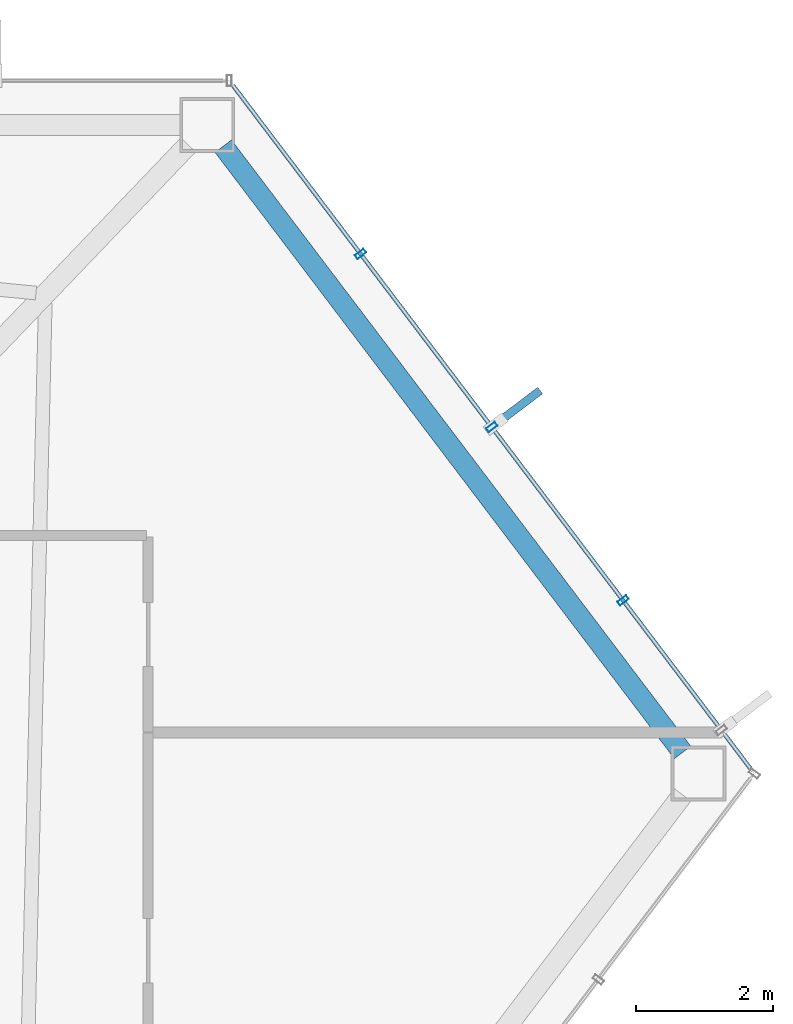
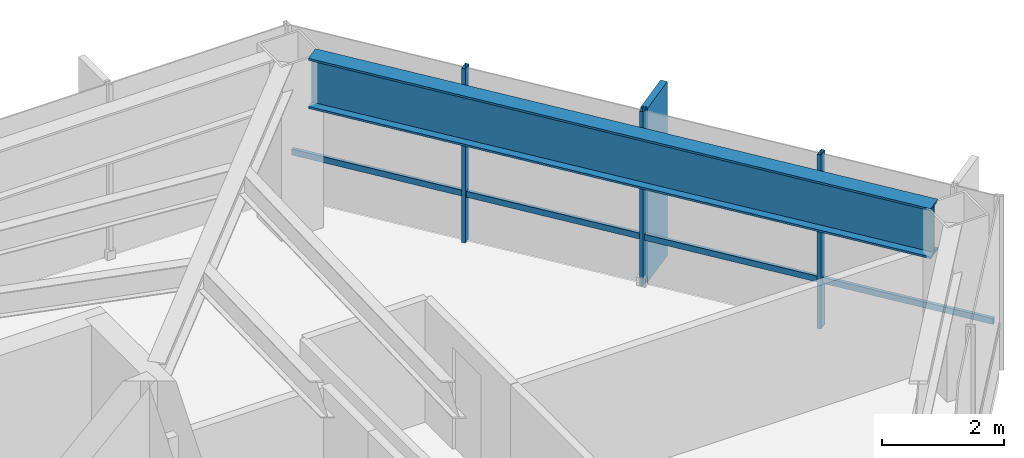
# One storey, part 23 of 29: 5 members, 1 beam, 1 element without a shape of its own.
"""IFC4 building model written with IfcOpenShell, lengths in metres."""

from ifc_helpers import new_model, si_unit, direction, frame, origin, origin_2d, place, context, subcontext, project, spatial, rectangle, hollow_rectangle, i_section, extrude, material, layer, layer_set, material_profile, profile_set, type_object, element, aggregate, save


model = new_model("IFC4")

# Units and contexts
model_context = context("Model", 3, precision=1e-05, world=origin(), true_north=direction((0.0, 1.0)))
body_context = subcontext(model_context, "Body", "Model", "MODEL_VIEW")
ifc_project = project(units=[si_unit("LENGTHUNIT", "METRE"), si_unit("AREAUNIT", "SQUARE_METRE"), si_unit("VOLUMEUNIT", "CUBIC_METRE"), si_unit("PLANEANGLEUNIT", "RADIAN"), si_unit("MASSUNIT", "GRAM", prefix="KILO")], contexts=[model_context])

# Site, building, storey
site_placement = place(None, origin())
site = spatial("IfcSite", under=ifc_project, at=site_placement, CompositionType="ELEMENT")
building_placement = place(site_placement, origin())
building = spatial("IfcBuilding", under=site, at=building_placement, Name="Zarrinselat Tower", CompositionType="ELEMENT")
storey_placement = place(building_placement, frame((0.0, 0.0, 138.3798828125)))
storey = spatial("IfcBuildingStorey", under=building, at=storey_placement, Name="L33", CompositionType="ELEMENT", Elevation=138.3798828125)

# Beam
ifc_material_1 = material(Name="Steel S460M", Category="steel")
ifc_material_profile_1 = material_profile(ifc_material_1, i_section(OverallWidth=0.302001953125, OverallDepth=1.008056640625, WebThickness=0.02099609375, FlangeThickness=0.0400390625, at=origin_2d()), Name="HEM 1000")
ifc_profile_set_1 = profile_set([ifc_material_profile_1], Name="Steel S460M")
beam_type = type_object("IfcBeamType", Name="BM-HEM1000", PredefinedType="BEAM", material=ifc_profile_set_1)
beam_placement = place(storey_placement, frame((55.099365234375, 48.190673828125, 2.99609375), z_axis=(0.603858110813, -0.797091827838, 0.0), x_axis=(0.797091827838, 0.603858110813, 0.0)))
element("IfcBeam", 1, at=beam_placement, inside=storey, type_object=beam_type, Name="L33 Perimeter Spandrel Girder SP15", PredefinedType="BEAM", context=body_context, shape_type="SweptSolid", body=[
    extrude(i_section(OverallWidth=0.302001953125, OverallDepth=1.008056640625, WebThickness=0.02099609375, FlangeThickness=0.0400390625, at=origin_2d()), origin(), (0.0, 0.0, 1.0), 11.1171875),
])

# Curtain wall, members
ifc_material_2 = material(Name="Extruded Aluminium Alloy EN AW-6063 T6", Category="aluminium")
ifc_layer = layer(ifc_material_2, 0.175048828125)
ifc_layer_set = layer_set([ifc_layer], Name="Extruded Aluminium Alloy EN AW-6063 T6")
curtain_wall_type = type_object("IfcCurtainWallType", Name="CWS-HTL", PredefinedType="NOTDEFINED", material=ifc_layer_set)
curtain_wall_placement = place(storey_placement, origin())
curtain_wall = element("IfcCurtainWall", 2, at=curtain_wall_placement, inside=storey, type_object=curtain_wall_type, Name="L33 Unitised Curtain Wall CW-L33-E06", PredefinedType="NOTDEFINED")
ifc_material_3 = material(Name="Extruded Aluminium Alloy EN AW-6063 T6", Category="aluminium")
ifc_material_profile_2 = material_profile(ifc_material_3, hollow_rectangle(XDim=0.070068359375, YDim=0.159912109375, WallThickness=0.00390625, at=origin_2d()), Name="RHS 160x70x4")
ifc_profile_set_2 = profile_set([ifc_material_profile_2], Name="Extruded Aluminium Alloy EN AW-6063 T6")
member_type_1 = type_object("IfcMemberType", Name="MEM-CW-MUL2", PredefinedType="MULLION", material=ifc_profile_set_2)
member_1_placement = place(storey_placement, frame((60.943603515625, 41.552490234375, 0.0), z_axis=(0.0, 0.0, 1.0), x_axis=(-0.60385935447, 0.79709088567, 0.0)))
member_1 = element("IfcMember", 3, at=member_1_placement, type_object=member_type_1, Name="CW-L33-E06 Mullion 2", PredefinedType="MULLION", context=body_context, shape_type="SweptSolid", body=[
    extrude(hollow_rectangle(XDim=0.070068359375, YDim=0.159912109375, WallThickness=0.00390625, at=origin_2d()), origin(), (0.0, 0.0, 1.0), 3.5),
])
member_2_placement = place(storey_placement, frame((59.025146484375, 44.0849609375, 0.0), z_axis=(0.0, 0.0, 1.0), x_axis=(-0.60385935447, 0.79709088567, 0.0)))
member_2 = element("IfcMember", 4, at=member_2_placement, type_object=member_type_1, Name="CW-L33-E06 Mullion 3", PredefinedType="MULLION", context=body_context, shape_type="SweptSolid", body=[
    extrude(hollow_rectangle(XDim=0.070068359375, YDim=0.159912109375, WallThickness=0.00390625, at=origin_2d()), origin(), (0.0, 0.0, 1.0), 3.5),
])
member_3_placement = place(storey_placement, frame((57.1064453125, 46.617431640625, 0.0), z_axis=(0.0, 0.0, 1.0), x_axis=(-0.60385935447, 0.79709088567, 0.0)))
member_3 = element("IfcMember", 5, at=member_3_placement, type_object=member_type_1, Name="CW-L33-E06 Mullion 4", PredefinedType="MULLION", context=body_context, shape_type="SweptSolid", body=[
    extrude(hollow_rectangle(XDim=0.070068359375, YDim=0.159912109375, WallThickness=0.00390625, at=origin_2d()), origin(), (0.0, 0.0, 1.0), 3.5),
])
ifc_material_4 = material(Name="Extruded Aluminium Alloy EN AW-6063 T6", Category="aluminium")
ifc_material_profile_3 = material_profile(ifc_material_4, hollow_rectangle(XDim=0.06005859375, YDim=0.1201171875, WallThickness=0.00390625, at=origin_2d()), Name="RHS 120x60x4")
ifc_profile_set_3 = profile_set([ifc_material_profile_3], Name="Extruded Aluminium Alloy EN AW-6063 T6")
member_type_2 = type_object("IfcMemberType", Name="MEM-CW-TRN2", PredefinedType="USERDEFINED", material=ifc_profile_set_3)
member_4_placement = place(storey_placement, frame((62.807861328125, 39.091796875, 0.9501953125), z_axis=(-0.603862190081, 0.797088737463, 0.0), x_axis=(-0.797088737463, -0.603862190081, 0.0)))
member_4 = element("IfcMember", 6, at=member_4_placement, type_object=member_type_2, Name="CW-L33-E06 Transom 1", ObjectType="TRANSOM", PredefinedType="USERDEFINED", context=body_context, shape_type="SweptSolid", body=[
    extrude(hollow_rectangle(XDim=0.06005859375, YDim=0.1201171875, WallThickness=0.00390625, at=origin_2d()), origin(), (0.0, 0.0, 1.0), 12.52880859375),
])
ifc_material_5 = material(Name="Honed Cream Travertine Stone", Category="masonry")
ifc_material_profile_4 = material_profile(ifc_material_5, rectangle(XDim=0.1201171875, YDim=0.85009765625, at=origin_2d()), Name="FIN 850x120")
ifc_profile_set_4 = profile_set([ifc_material_profile_4], Name="Honed Cream Travertine Stone")
member_type_3 = type_object("IfcMemberType", Name="MEM-STONE-FIN", PredefinedType="USERDEFINED", material=ifc_profile_set_4)
member_5_placement = place(storey_placement, frame((59.391845703125, 44.36279296875, 0.0), z_axis=(0.0, 0.0, 1.0), x_axis=(0.60385935447, -0.79709088567, 0.0)))
member_5 = element("IfcMember", 7, at=member_5_placement, type_object=member_type_3, Name="L33 Stone Shading Fin CW-L33-E06-03", ObjectType="FIN", PredefinedType="USERDEFINED", context=body_context, shape_type="SweptSolid", body=[
    extrude(rectangle(XDim=0.1201171875, YDim=0.85009765625, at=origin_2d()), origin(), (0.0, 0.0, 1.0), 3.5),
])
aggregate(curtain_wall, [member_1, member_2, member_5, member_3, member_4])

save(model, "model.ifc")
